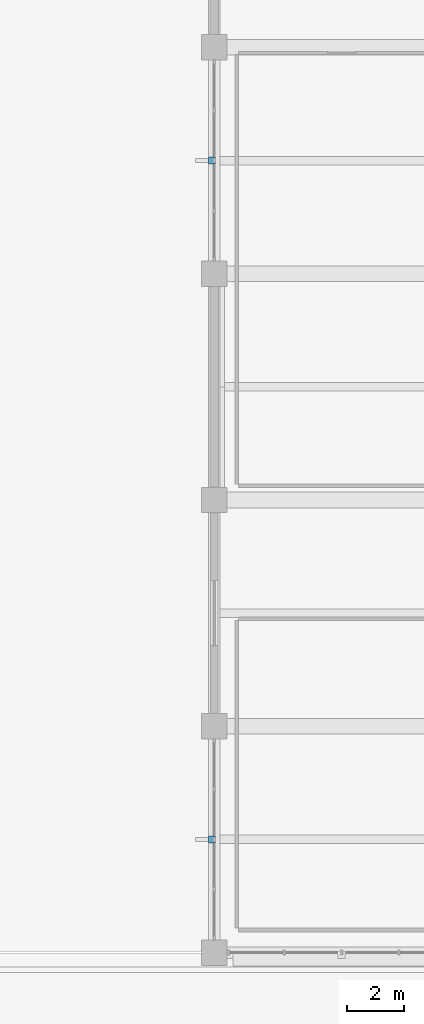
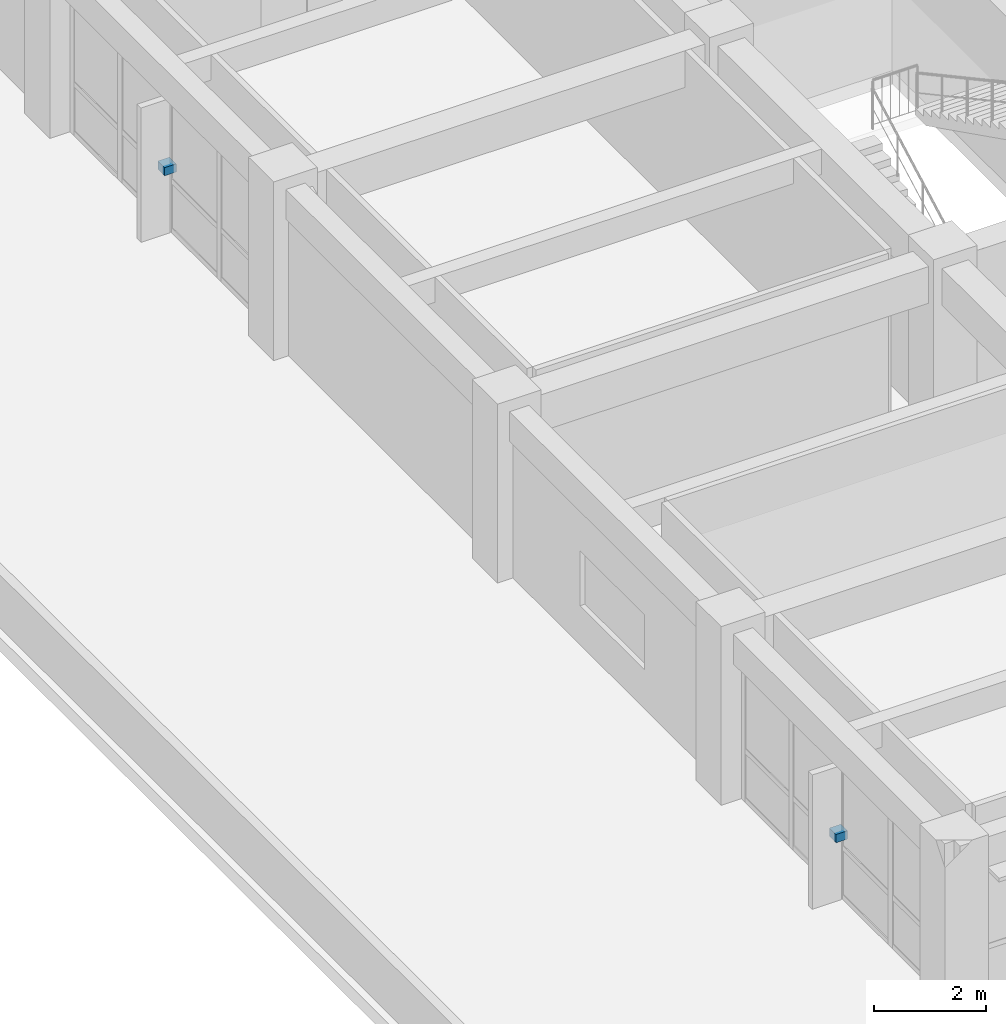
# One storey, part 28 of 34: 2 discrete accessories.
"""IFC4 building model written with IfcOpenShell, lengths in metres."""

from ifc_helpers import new_model, si_unit, direction, frame, origin, origin_2d, place, context, subcontext, project, spatial, rectangle, extrude, material, layer, layer_set, type_object, element, save


model = new_model("IFC4")

# Units and contexts
model_context = context("Model", 3, precision=1e-05, world=origin(), true_north=direction((0.0, 1.0)))
body_context = subcontext(model_context, "Body", "Model", "MODEL_VIEW")
ifc_project = project(units=[si_unit("LENGTHUNIT", "METRE"), si_unit("AREAUNIT", "SQUARE_METRE"), si_unit("VOLUMEUNIT", "CUBIC_METRE"), si_unit("PLANEANGLEUNIT", "RADIAN"), si_unit("MASSUNIT", "GRAM", prefix="KILO")], contexts=[model_context])

# Site, building, storey
site_placement = place(None, origin())
site = spatial("IfcSite", under=ifc_project, at=site_placement, CompositionType="ELEMENT")
building_placement = place(site_placement, origin())
building = spatial("IfcBuilding", under=site, at=building_placement, Name="Zaverband Oceanarium and Marine Research Institute", CompositionType="ELEMENT")
storey_placement = place(building_placement, frame((0.0, 0.0, 18.0)))
storey = spatial("IfcBuildingStorey", under=building, at=storey_placement, Name="L04", CompositionType="ELEMENT", Elevation=18.0)

# Discrete accessories
ifc_material = material(Name="Steel S355", Category="steel")
ifc_layer = layer(ifc_material, 0.179931640625, Name="Steel S355")
ifc_layer_set = layer_set([ifc_layer], Name="Steel S355")
discrete_accessory_type = type_object("IfcDiscreteAccessoryType", Name="BRK-STL-200", PredefinedType="BRACKET", material=ifc_layer_set)
for number, where, z_axis, x_axis, name in (
    (1, (8.919921875, 68.0, 1.31982421875), (0.0, 0.0, 1.0), (1.0, 0.0, 0.0), "Galvanized steel facade fin structural bracket BRK-STL-200"),
    (2, (8.919921875, 92.0, 1.31982421875), (0.0, 0.0, 1.0), (1.0, 0.0, 0.0), "Galvanized steel facade fin structural bracket BRK-STL-200"),
):
    element("IfcDiscreteAccessory", number, at=place(storey_placement, frame(where, z_axis=z_axis, x_axis=x_axis)), inside=storey, type_object=discrete_accessory_type, Name=name, PredefinedType="BRACKET", context=body_context, shape_type="SweptSolid", body=[
        extrude(rectangle(XDim=0.239990234375, YDim=0.239990234375, at=origin_2d()), origin(), (0.0, 0.0, 1.0), 0.179931640625),
    ])

save(model, "model.ifc")
